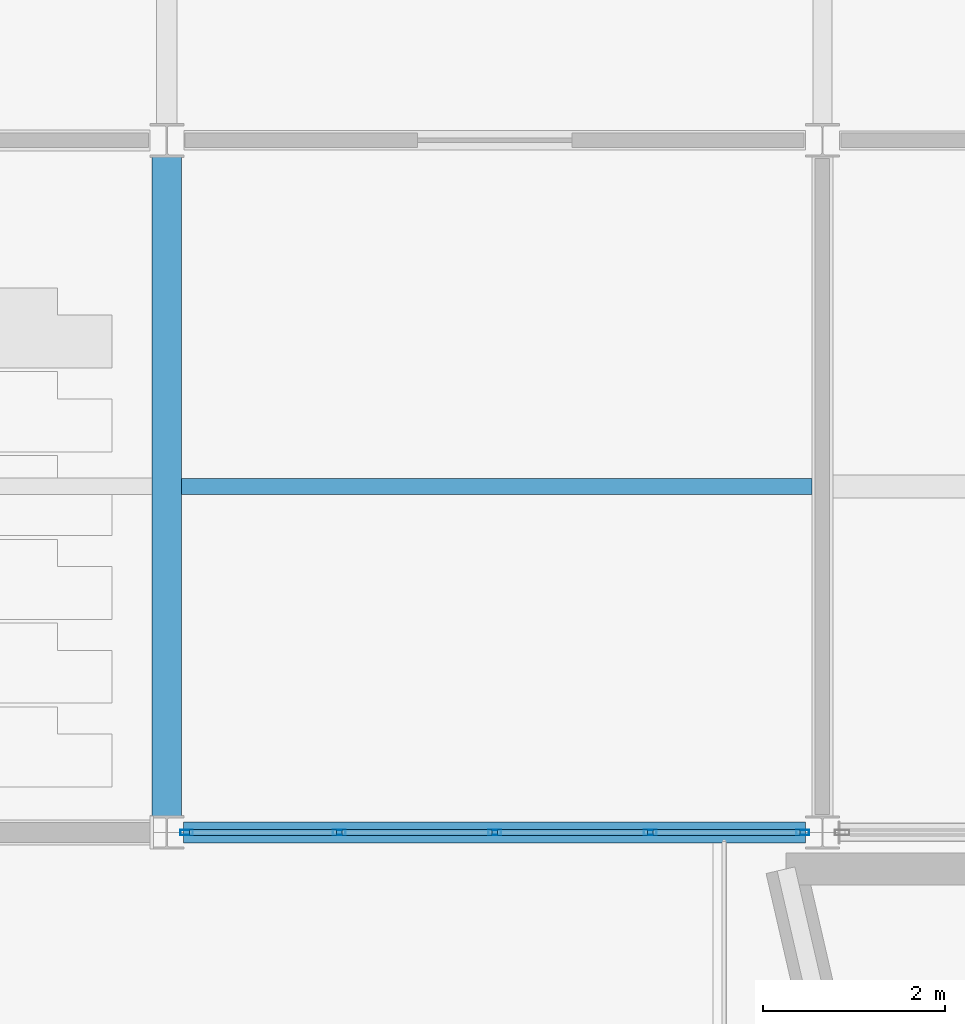
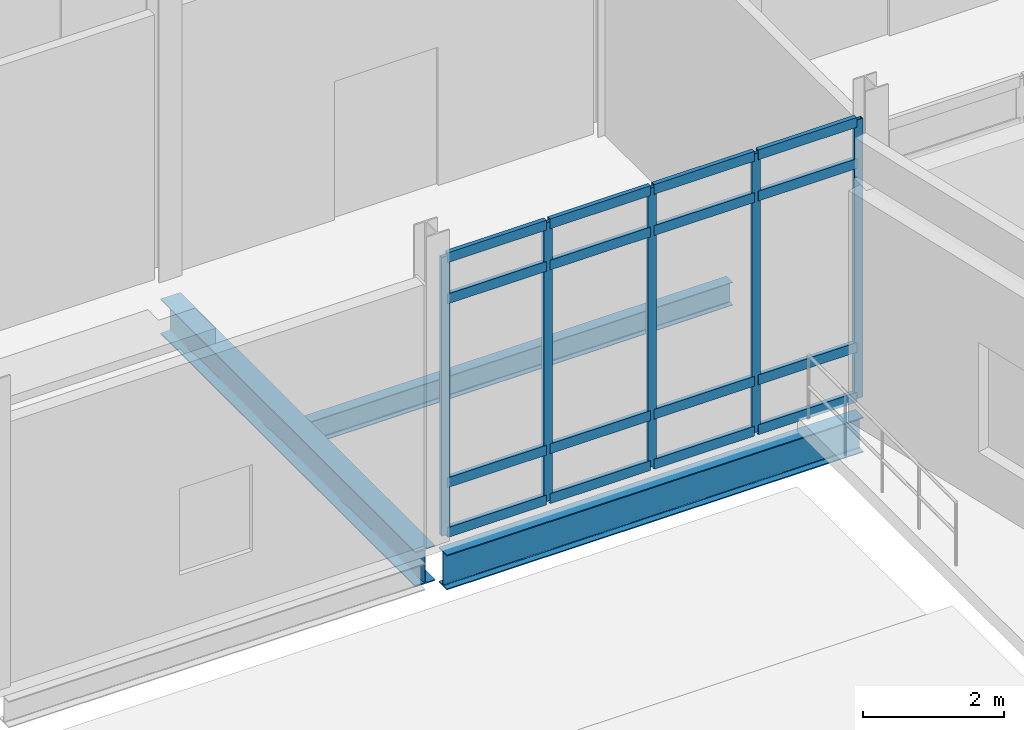
# One storey, part 27 of 229: 21 members, 3 beams, 1 element without a shape of its own.
"""IFC4 building model written with IfcOpenShell, lengths in metres."""

from ifc_helpers import new_model, si_unit, direction, frame, origin, origin_2d, place, context, subcontext, project, spatial, hollow_rectangle, i_section, extrude, material, layer, layer_set, material_profile, profile_set, type_object, element, aggregate, save


model = new_model("IFC4")

# Units and contexts
model_context = context("Model", 3, precision=1e-05, world=origin(), true_north=direction((0.0, 1.0)))
body_context = subcontext(model_context, "Body", "Model", "MODEL_VIEW")
ifc_project = project(units=[si_unit("LENGTHUNIT", "METRE"), si_unit("AREAUNIT", "SQUARE_METRE"), si_unit("VOLUMEUNIT", "CUBIC_METRE"), si_unit("PLANEANGLEUNIT", "RADIAN"), si_unit("MASSUNIT", "GRAM", prefix="KILO")], contexts=[model_context])

# Site, building, storey
site_placement = place(None, origin())
site = spatial("IfcSite", under=ifc_project, at=site_placement, CompositionType="ELEMENT")
building_placement = place(site_placement, origin())
building = spatial("IfcBuilding", under=site, at=building_placement, Name="Calvrana Isthmian Art Gallery", CompositionType="ELEMENT")
storey_placement = place(building_placement, origin())
storey = spatial("IfcBuildingStorey", under=building, at=storey_placement, Name="L00", CompositionType="ELEMENT", Elevation=0.0)

# Beams
ifc_material_1 = material(Name="Steel ASTM A992 Gr 50", Category="steel")
ifc_material_profile_1 = material_profile(ifc_material_1, i_section(OverallWidth=0.324951171875, OverallDepth=0.612060546875, WebThickness=0.0126953125, FlangeThickness=0.01904296875, FilletRadius=0.02197265625, at=origin_2d()), Name="W24X104")
ifc_profile_set_1 = profile_set([ifc_material_profile_1], Name="Steel ASTM A992 Gr 50")
beam_type_1 = type_object("IfcBeamType", Name="BM-G-W24X104", PredefinedType="BEAM", material=ifc_profile_set_1)
beam_1_placement = place(storey_placement, frame((7.199951171875, 46.9814453125, -0.591064453125), z_axis=(0.0, 1.0, 0.0), x_axis=(-1.0, 0.0, 0.0)))
element("IfcBeam", 1, at=beam_1_placement, inside=storey, type_object=beam_type_1, Name="Girder Y L00 02/G-H", PredefinedType="BEAM", context=body_context, shape_type="SweptSolid", body=[
    extrude(i_section(OverallWidth=0.324951171875, OverallDepth=0.612060546875, WebThickness=0.0126953125, FlangeThickness=0.01904296875, FilletRadius=0.02197265625, at=origin_2d()), origin(), (0.0, 0.0, 1.0), 7.234619140625),
])
ifc_material_profile_2 = material_profile(ifc_material_1, i_section(OverallWidth=0.22802734375, OverallDepth=0.60693359375, WebThickness=0.01123046875, FlangeThickness=0.017333984375, FilletRadius=0.02197265625, at=origin_2d()), Name="W24X76")
ifc_profile_set_2 = profile_set([ifc_material_profile_2], Name="Steel ASTM A992 Gr 50")
beam_type_2 = type_object("IfcBeamType", Name="BM-G-W24X76", PredefinedType="BEAM", material=ifc_profile_set_2)
beam_2_placement = place(storey_placement, frame((7.385498046875, 46.800048828125, -0.58837890625), z_axis=(1.0, 0.0, 0.0), x_axis=(0.0, 1.0, 0.0)))
element("IfcBeam", 2, at=beam_2_placement, inside=storey, type_object=beam_type_2, Name="Girder X L00 02-03/G", PredefinedType="BEAM", context=body_context, shape_type="SweptSolid", body=[
    extrude(i_section(OverallWidth=0.22802734375, OverallDepth=0.60693359375, WebThickness=0.01123046875, FlangeThickness=0.017333984375, FilletRadius=0.02197265625, at=origin_2d()), origin(), (0.0, 0.0, 1.0), 6.83056640625),
])
ifc_material_profile_3 = material_profile(ifc_material_1, i_section(OverallWidth=0.177978515625, OverallDepth=0.404052734375, WebThickness=0.007568359375, FlangeThickness=0.010986328125, FilletRadius=0.01806640625, at=origin_2d()), Name="W16X36")
ifc_profile_set_3 = profile_set([ifc_material_profile_3], Name="Steel ASTM A992 Gr 50")
beam_type_3 = type_object("IfcBeamType", Name="BM-J-W16X36", PredefinedType="JOIST", material=ifc_profile_set_3)
beam_3_placement = place(storey_placement, frame((7.362548828125, 50.60009765625, -0.487060546875), z_axis=(1.0, 0.0, 0.0), x_axis=(0.0, 1.0, 0.0)))
element("IfcBeam", 3, at=beam_3_placement, inside=storey, type_object=beam_type_3, Name="Composite joist L00 bay 01-06", PredefinedType="JOIST", context=body_context, shape_type="SweptSolid", body=[
    extrude(i_section(OverallWidth=0.177978515625, OverallDepth=0.404052734375, WebThickness=0.007568359375, FlangeThickness=0.010986328125, FilletRadius=0.01806640625, at=origin_2d()), origin(), (0.0, 0.0, 1.0), 6.92333984375),
])

# Curtain wall, members
ifc_material_2 = material(Name="Anodized bronze aluminium 6063-T6", Category="aluminium")
ifc_layer = layer(ifc_material_2, 0.179931640625, Name="Anodized bronze aluminium 6063-T6")
ifc_layer_set = layer_set([ifc_layer], Name="Anodized bronze aluminium 6063-T6")
curtain_wall_type = type_object("IfcCurtainWallType", Name="CW-UNIT-068X48", PredefinedType="USERDEFINED", material=ifc_layer_set)
curtain_wall_placement = place(storey_placement, origin())
curtain_wall = element("IfcCurtainWall", 4, at=curtain_wall_placement, inside=storey, type_object=curtain_wall_type, Name="Curtain wall CW-018", ObjectType="UNITISED CURTAIN WALL", PredefinedType="USERDEFINED")
ifc_material_profile_4 = material_profile(ifc_material_2, hollow_rectangle(XDim=0.06005859375, YDim=0.139892578125, WallThickness=0.00390625, at=origin_2d()), Name="CWM60X140")
ifc_profile_set_4 = profile_set([ifc_material_profile_4], Name="Anodized bronze aluminium 6063-T6")
member_type_1 = type_object("IfcMemberType", Name="CWM-CWM60X140", PredefinedType="MULLION", material=ifc_profile_set_4)
member_1_placement = place(storey_placement, frame((14.1845703125, 46.800048828125, 0.0), z_axis=(0.0, 0.0, 1.0), x_axis=(0.0, -1.0, 0.0)))
member_1 = element("IfcMember", 5, at=member_1_placement, type_object=member_type_1, Name="CW-018 mullion 1", PredefinedType="MULLION", context=body_context, shape_type="SweptSolid", body=[
    extrude(hollow_rectangle(XDim=0.06005859375, YDim=0.139892578125, WallThickness=0.00390625, at=origin_2d()), origin(), (0.0, 0.0, 1.0), 4.835205078125),
])
member_2_placement = place(storey_placement, frame((12.507568359375, 46.800048828125, 0.0), z_axis=(0.0, 0.0, 1.0), x_axis=(0.0, -1.0, 0.0)))
member_2 = element("IfcMember", 6, at=member_2_placement, type_object=member_type_1, Name="CW-018 mullion 2", PredefinedType="MULLION", context=body_context, shape_type="SweptSolid", body=[
    extrude(hollow_rectangle(XDim=0.06005859375, YDim=0.139892578125, WallThickness=0.00390625, at=origin_2d()), origin(), (0.0, 0.0, 1.0), 4.835205078125),
])
member_3_placement = place(storey_placement, frame((10.800537109375, 46.800048828125, 0.0), z_axis=(0.0, 0.0, 1.0), x_axis=(0.0, -1.0, 0.0)))
member_3 = element("IfcMember", 7, at=member_3_placement, type_object=member_type_1, Name="CW-018 mullion 3", PredefinedType="MULLION", context=body_context, shape_type="SweptSolid", body=[
    extrude(hollow_rectangle(XDim=0.06005859375, YDim=0.139892578125, WallThickness=0.00390625, at=origin_2d()), origin(), (0.0, 0.0, 1.0), 4.835205078125),
])
member_4_placement = place(storey_placement, frame((9.093505859375, 46.800048828125, 0.0), z_axis=(0.0, 0.0, 1.0), x_axis=(0.0, -1.0, 0.0)))
member_4 = element("IfcMember", 8, at=member_4_placement, type_object=member_type_1, Name="CW-018 mullion 4", PredefinedType="MULLION", context=body_context, shape_type="SweptSolid", body=[
    extrude(hollow_rectangle(XDim=0.06005859375, YDim=0.139892578125, WallThickness=0.00390625, at=origin_2d()), origin(), (0.0, 0.0, 1.0), 4.835205078125),
])
member_5_placement = place(storey_placement, frame((7.41650390625, 46.800048828125, 0.0), z_axis=(0.0, 0.0, 1.0), x_axis=(0.0, -1.0, 0.0)))
member_5 = element("IfcMember", 9, at=member_5_placement, type_object=member_type_1, Name="CW-018 mullion 5", PredefinedType="MULLION", context=body_context, shape_type="SweptSolid", body=[
    extrude(hollow_rectangle(XDim=0.06005859375, YDim=0.139892578125, WallThickness=0.00390625, at=origin_2d()), origin(), (0.0, 0.0, 1.0), 4.835205078125),
])
ifc_material_profile_5 = material_profile(ifc_material_2, hollow_rectangle(XDim=0.070068359375, YDim=0.169921875, WallThickness=0.00439453125, at=origin_2d()), Name="CWT70X170")
ifc_profile_set_5 = profile_set([ifc_material_profile_5], Name="Anodized bronze aluminium 6063-T6")
member_type_2 = type_object("IfcMemberType", Name="CWT-CWT70X170", PredefinedType="USERDEFINED", material=ifc_profile_set_5)
member_6_placement = place(storey_placement, frame((14.154541015625, 46.800048828125, 0.034912109375), z_axis=(-1.0, 0.0, 0.0), x_axis=(0.0, -1.0, 0.0)))
member_6 = element("IfcMember", 10, at=member_6_placement, type_object=member_type_2, Name="CW-018 transom 1.1", ObjectType="TRANSOM", PredefinedType="USERDEFINED", context=body_context, shape_type="SweptSolid", body=[
    extrude(hollow_rectangle(XDim=0.070068359375, YDim=0.169921875, WallThickness=0.00439453125, at=origin_2d()), origin(), (0.0, 0.0, 1.0), 1.616943359375),
])
member_7_placement = place(storey_placement, frame((14.154541015625, 46.800048828125, 0.89990234375), z_axis=(-1.0, 0.0, 0.0), x_axis=(0.0, -1.0, 0.0)))
member_7 = element("IfcMember", 11, at=member_7_placement, type_object=member_type_2, Name="CW-018 transom 1.2", ObjectType="TRANSOM", PredefinedType="USERDEFINED", context=body_context, shape_type="SweptSolid", body=[
    extrude(hollow_rectangle(XDim=0.070068359375, YDim=0.169921875, WallThickness=0.00439453125, at=origin_2d()), origin(), (0.0, 0.0, 1.0), 1.616943359375),
])
member_8_placement = place(storey_placement, frame((14.154541015625, 46.800048828125, 4.085205078125), z_axis=(-1.0, 0.0, 0.0), x_axis=(0.0, -1.0, 0.0)))
member_8 = element("IfcMember", 12, at=member_8_placement, type_object=member_type_2, Name="CW-018 transom 1.3", ObjectType="TRANSOM", PredefinedType="USERDEFINED", context=body_context, shape_type="SweptSolid", body=[
    extrude(hollow_rectangle(XDim=0.070068359375, YDim=0.169921875, WallThickness=0.00439453125, at=origin_2d()), origin(), (0.0, 0.0, 1.0), 1.616943359375),
])
member_9_placement = place(storey_placement, frame((14.154541015625, 46.800048828125, 4.80029296875), z_axis=(-1.0, 0.0, 0.0), x_axis=(0.0, -1.0, 0.0)))
member_9 = element("IfcMember", 13, at=member_9_placement, type_object=member_type_2, Name="CW-018 transom 1.4", ObjectType="TRANSOM", PredefinedType="USERDEFINED", context=body_context, shape_type="SweptSolid", body=[
    extrude(hollow_rectangle(XDim=0.070068359375, YDim=0.169921875, WallThickness=0.00439453125, at=origin_2d()), origin(), (0.0, 0.0, 1.0), 1.616943359375),
])
member_10_placement = place(storey_placement, frame((12.4775390625, 46.800048828125, 0.034912109375), z_axis=(-1.0, 0.0, 0.0), x_axis=(0.0, -1.0, 0.0)))
member_10 = element("IfcMember", 14, at=member_10_placement, type_object=member_type_2, Name="CW-018 transom 2.1", ObjectType="TRANSOM", PredefinedType="USERDEFINED", context=body_context, shape_type="SweptSolid", body=[
    extrude(hollow_rectangle(XDim=0.070068359375, YDim=0.169921875, WallThickness=0.00439453125, at=origin_2d()), origin(), (0.0, 0.0, 1.0), 1.64697265625),
])
member_11_placement = place(storey_placement, frame((12.4775390625, 46.800048828125, 0.89990234375), z_axis=(-1.0, 0.0, 0.0), x_axis=(0.0, -1.0, 0.0)))
member_11 = element("IfcMember", 15, at=member_11_placement, type_object=member_type_2, Name="CW-018 transom 2.2", ObjectType="TRANSOM", PredefinedType="USERDEFINED", context=body_context, shape_type="SweptSolid", body=[
    extrude(hollow_rectangle(XDim=0.070068359375, YDim=0.169921875, WallThickness=0.00439453125, at=origin_2d()), origin(), (0.0, 0.0, 1.0), 1.64697265625),
])
member_12_placement = place(storey_placement, frame((12.4775390625, 46.800048828125, 4.085205078125), z_axis=(-1.0, 0.0, 0.0), x_axis=(0.0, -1.0, 0.0)))
member_12 = element("IfcMember", 16, at=member_12_placement, type_object=member_type_2, Name="CW-018 transom 2.3", ObjectType="TRANSOM", PredefinedType="USERDEFINED", context=body_context, shape_type="SweptSolid", body=[
    extrude(hollow_rectangle(XDim=0.070068359375, YDim=0.169921875, WallThickness=0.00439453125, at=origin_2d()), origin(), (0.0, 0.0, 1.0), 1.64697265625),
])
member_13_placement = place(storey_placement, frame((12.4775390625, 46.800048828125, 4.80029296875), z_axis=(-1.0, 0.0, 0.0), x_axis=(0.0, -1.0, 0.0)))
member_13 = element("IfcMember", 17, at=member_13_placement, type_object=member_type_2, Name="CW-018 transom 2.4", ObjectType="TRANSOM", PredefinedType="USERDEFINED", context=body_context, shape_type="SweptSolid", body=[
    extrude(hollow_rectangle(XDim=0.070068359375, YDim=0.169921875, WallThickness=0.00439453125, at=origin_2d()), origin(), (0.0, 0.0, 1.0), 1.64697265625),
])
member_14_placement = place(storey_placement, frame((10.7705078125, 46.800048828125, 0.034912109375), z_axis=(-1.0, 0.0, 0.0), x_axis=(0.0, -1.0, 0.0)))
member_14 = element("IfcMember", 18, at=member_14_placement, type_object=member_type_2, Name="CW-018 transom 3.1", ObjectType="TRANSOM", PredefinedType="USERDEFINED", context=body_context, shape_type="SweptSolid", body=[
    extrude(hollow_rectangle(XDim=0.070068359375, YDim=0.169921875, WallThickness=0.00439453125, at=origin_2d()), origin(), (0.0, 0.0, 1.0), 1.64697265625),
])
member_15_placement = place(storey_placement, frame((10.7705078125, 46.800048828125, 0.89990234375), z_axis=(-1.0, 0.0, 0.0), x_axis=(0.0, -1.0, 0.0)))
member_15 = element("IfcMember", 19, at=member_15_placement, type_object=member_type_2, Name="CW-018 transom 3.2", ObjectType="TRANSOM", PredefinedType="USERDEFINED", context=body_context, shape_type="SweptSolid", body=[
    extrude(hollow_rectangle(XDim=0.070068359375, YDim=0.169921875, WallThickness=0.00439453125, at=origin_2d()), origin(), (0.0, 0.0, 1.0), 1.64697265625),
])
member_16_placement = place(storey_placement, frame((10.7705078125, 46.800048828125, 4.085205078125), z_axis=(-1.0, 0.0, 0.0), x_axis=(0.0, -1.0, 0.0)))
member_16 = element("IfcMember", 20, at=member_16_placement, type_object=member_type_2, Name="CW-018 transom 3.3", ObjectType="TRANSOM", PredefinedType="USERDEFINED", context=body_context, shape_type="SweptSolid", body=[
    extrude(hollow_rectangle(XDim=0.070068359375, YDim=0.169921875, WallThickness=0.00439453125, at=origin_2d()), origin(), (0.0, 0.0, 1.0), 1.64697265625),
])
member_17_placement = place(storey_placement, frame((10.7705078125, 46.800048828125, 4.80029296875), z_axis=(-1.0, 0.0, 0.0), x_axis=(0.0, -1.0, 0.0)))
member_17 = element("IfcMember", 21, at=member_17_placement, type_object=member_type_2, Name="CW-018 transom 3.4", ObjectType="TRANSOM", PredefinedType="USERDEFINED", context=body_context, shape_type="SweptSolid", body=[
    extrude(hollow_rectangle(XDim=0.070068359375, YDim=0.169921875, WallThickness=0.00439453125, at=origin_2d()), origin(), (0.0, 0.0, 1.0), 1.64697265625),
])
member_18_placement = place(storey_placement, frame((9.0634765625, 46.800048828125, 0.034912109375), z_axis=(-1.0, 0.0, 0.0), x_axis=(0.0, -1.0, 0.0)))
member_18 = element("IfcMember", 22, at=member_18_placement, type_object=member_type_2, Name="CW-018 transom 4.1", ObjectType="TRANSOM", PredefinedType="USERDEFINED", context=body_context, shape_type="SweptSolid", body=[
    extrude(hollow_rectangle(XDim=0.070068359375, YDim=0.169921875, WallThickness=0.00439453125, at=origin_2d()), origin(), (0.0, 0.0, 1.0), 1.616943359375),
])
member_19_placement = place(storey_placement, frame((9.0634765625, 46.800048828125, 0.89990234375), z_axis=(-1.0, 0.0, 0.0), x_axis=(0.0, -1.0, 0.0)))
member_19 = element("IfcMember", 23, at=member_19_placement, type_object=member_type_2, Name="CW-018 transom 4.2", ObjectType="TRANSOM", PredefinedType="USERDEFINED", context=body_context, shape_type="SweptSolid", body=[
    extrude(hollow_rectangle(XDim=0.070068359375, YDim=0.169921875, WallThickness=0.00439453125, at=origin_2d()), origin(), (0.0, 0.0, 1.0), 1.616943359375),
])
member_20_placement = place(storey_placement, frame((9.0634765625, 46.800048828125, 4.085205078125), z_axis=(-1.0, 0.0, 0.0), x_axis=(0.0, -1.0, 0.0)))
member_20 = element("IfcMember", 24, at=member_20_placement, type_object=member_type_2, Name="CW-018 transom 4.3", ObjectType="TRANSOM", PredefinedType="USERDEFINED", context=body_context, shape_type="SweptSolid", body=[
    extrude(hollow_rectangle(XDim=0.070068359375, YDim=0.169921875, WallThickness=0.00439453125, at=origin_2d()), origin(), (0.0, 0.0, 1.0), 1.616943359375),
])
member_21_placement = place(storey_placement, frame((9.0634765625, 46.800048828125, 4.80029296875), z_axis=(-1.0, 0.0, 0.0), x_axis=(0.0, -1.0, 0.0)))
member_21 = element("IfcMember", 25, at=member_21_placement, type_object=member_type_2, Name="CW-018 transom 4.4", ObjectType="TRANSOM", PredefinedType="USERDEFINED", context=body_context, shape_type="SweptSolid", body=[
    extrude(hollow_rectangle(XDim=0.070068359375, YDim=0.169921875, WallThickness=0.00439453125, at=origin_2d()), origin(), (0.0, 0.0, 1.0), 1.616943359375),
])
aggregate(curtain_wall, [member_1, member_2, member_3, member_4, member_5, member_6, member_7, member_8, member_9, member_10, member_11, member_12, member_13, member_14, member_15, member_16, member_17, member_18, member_19, member_20, member_21])

save(model, "model.ifc")
